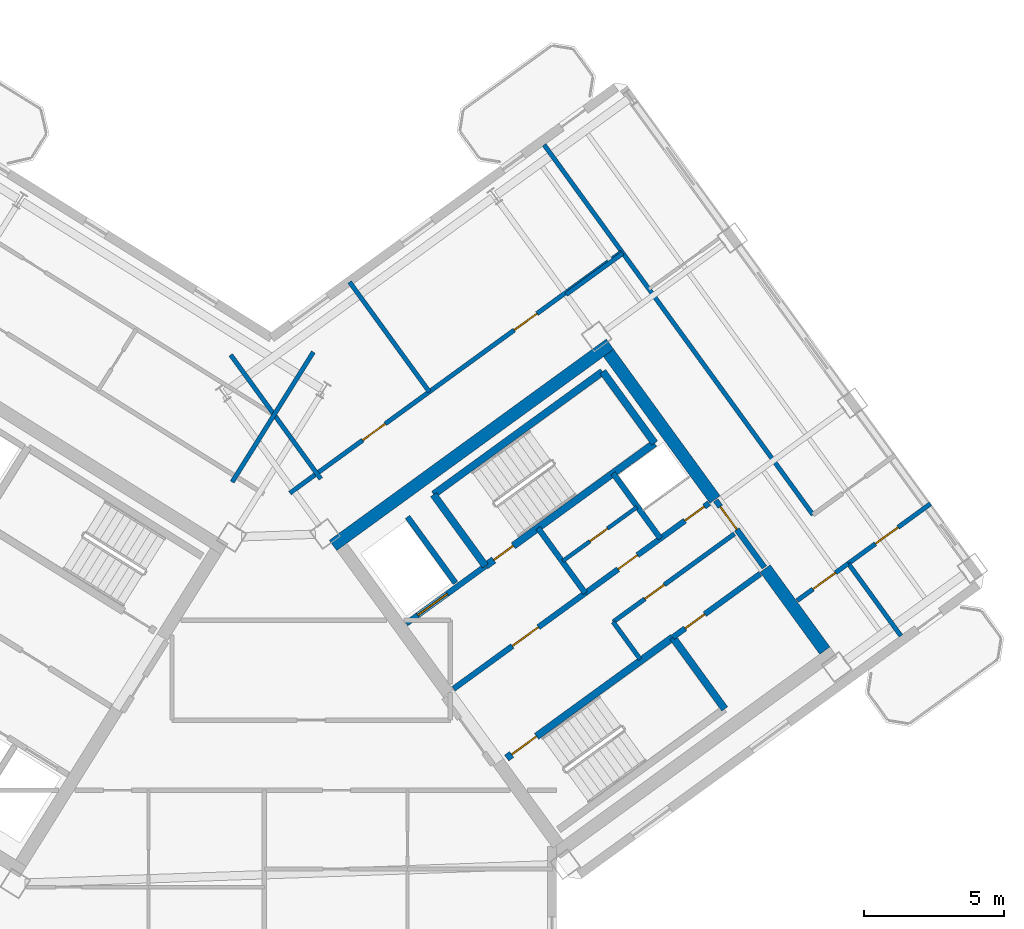
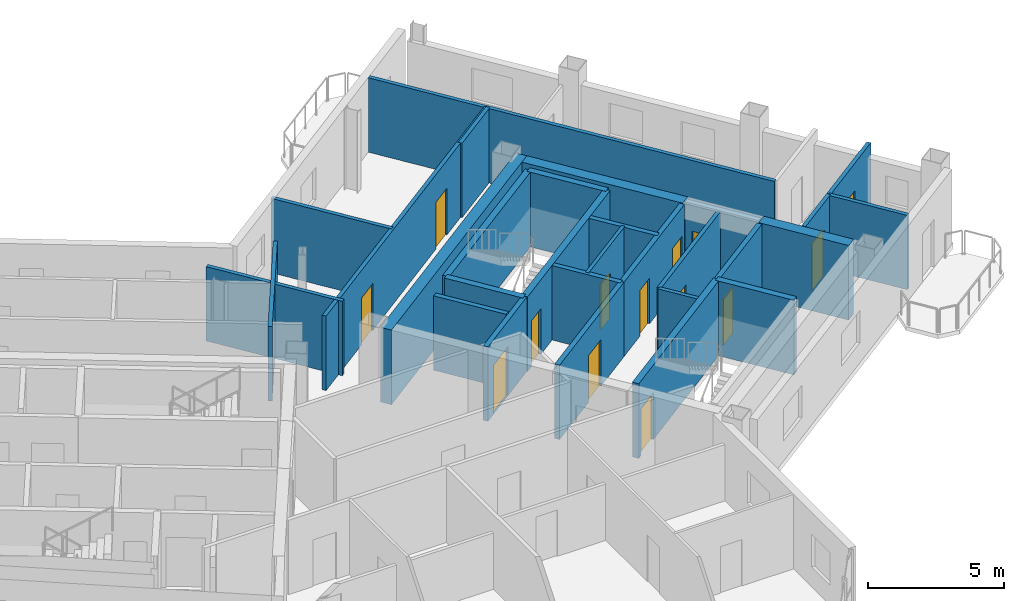
# One storey, part 14 of 20: 29 walls, 14 doors, 14 openings.
"""IFC4 building model written with IfcOpenShell, lengths in metres."""

import ifcopenshell
import ifcopenshell.guid

model = None  # the IFC model being written
_history = None  # IfcOwnerHistory: only IFC2X3 demands one
_inside = {}  # id of a spatial element -> (the spatial element, [elements in it])
_under = {}  # id of a project, library or spatial element -> (it, [spatial elements below it])
_declared = {}  # id of a project -> (the project, [libraries it declares])
_typed = {}  # id of a type object -> (the type object, [elements of that type])
_made_of = {}  # id of a material, layer set ... -> (it, [elements and type objects made of it])


def new_model(schema):
    """Start an empty IFC model of exactly this schema.

    Asked for "IFC4X3", IfcOpenShell would pick the latest addendum, in which some entities
    have other attributes; the version numbers below select the first issue.
    IFC2X3 requires an IfcOwnerHistory on every rooted entity: one is made here for all.
    """
    global model, _history
    if schema == "IFC4X3":
        model = ifcopenshell.file(schema_version=(4, 3, 0, 0))
    else:
        model = ifcopenshell.file(schema=schema)
    _inside.clear()
    _under.clear()
    _declared.clear()
    _typed.clear()
    _made_of.clear()
    _history = None
    if model.schema == "IFC2X3":
        org = make("IfcOrganization", Name="unknown")
        user = make(
            "IfcPersonAndOrganization",
            ThePerson=make("IfcPerson", FamilyName="unknown"),
            TheOrganization=org,
        )
        app = make(
            "IfcApplication",
            ApplicationDeveloper=org,
            Version="unknown",
            ApplicationFullName="unknown",
            ApplicationIdentifier="unknown",
        )
        _history = make(
            "IfcOwnerHistory",
            OwningUser=user,
            OwningApplication=app,
            ChangeAction="ADDED",
            CreationDate=0,
        )
    return model


def make(cls, **values):
    """One entity of the class cls with the attributes given. An attribute that is None is left unset."""
    return model.create_entity(
        cls, **{name: value for name, value in values.items() if value is not None}
    )


def rooted(cls, **values):
    """An entity with a GlobalId (a new one), such as an element, a storey or a relation."""
    return make(cls, GlobalId=ifcopenshell.guid.new(), OwnerHistory=_history, **values)


def si_unit(unit_type, name, prefix=None):
    """IfcSIUnit, for example si_unit("LENGTHUNIT", "METRE", prefix="MILLI")."""
    return make("IfcSIUnit", UnitType=unit_type, Prefix=prefix, Name=name)


def assignment(units):
    """IfcUnitAssignment: the units of a project."""
    return None if units is None else make("IfcUnitAssignment", Units=units)


def point(xyz):
    """IfcCartesianPoint."""
    return None if xyz is None else make("IfcCartesianPoint", Coordinates=xyz)


def direction(xyz):
    """IfcDirection."""
    return None if xyz is None else make("IfcDirection", DirectionRatios=xyz)


def frame(location, z_axis=None, x_axis=None):
    """IfcAxis2Placement3D, a coordinate frame: its origin and axes. An axis left out is left unset."""
    return make(
        "IfcAxis2Placement3D",
        Location=point(location),
        Axis=direction(z_axis),
        RefDirection=direction(x_axis),
    )


def frame_2d(location, x_axis=None):
    """IfcAxis2Placement2D, a coordinate frame in the plane: its origin and x axis."""
    return make(
        "IfcAxis2Placement2D", Location=point(location), RefDirection=direction(x_axis)
    )


def origin():
    """The frame at (0, 0, 0) with its axes left unset."""
    return frame((0.0, 0.0, 0.0))


def place(relative_to, where):
    """IfcLocalPlacement: puts the frame where relative to a parent placement (None: the world)."""
    return make(
        "IfcLocalPlacement", PlacementRelTo=relative_to, RelativePlacement=where
    )


def context(
    kind, dimensions, precision=None, world=None, true_north=None, identifier=None
):
    """IfcGeometricRepresentationContext, for example the 3D "Model" context."""
    return make(
        "IfcGeometricRepresentationContext",
        ContextIdentifier=identifier,
        ContextType=kind,
        CoordinateSpaceDimension=dimensions,
        Precision=precision,
        WorldCoordinateSystem=world,
        TrueNorth=true_north,
    )


def subcontext(parent, identifier, kind, view, scale=None):
    """IfcGeometricRepresentationSubContext, for example "Body" below "Model"."""
    return make(
        "IfcGeometricRepresentationSubContext",
        ContextIdentifier=identifier,
        ContextType=kind,
        ParentContext=parent,
        TargetScale=scale,
        TargetView=view,
    )


def project(units=None, contexts=None):
    """IfcProject with its units and contexts."""
    return rooted(
        "IfcProject",
        Name="project",
        RepresentationContexts=contexts,
        UnitsInContext=assignment(units),
    )


def spatial(cls, under=None, at=None, **own):
    """A site, building, storey or space (cls), placed at a placement, below another one or the project."""
    s = rooted(cls, ObjectPlacement=at, **own)
    if under is not None:
        _under.setdefault(under.id(), (under, []))[1].append(s)
    return s


def profile(cls, at=None, kind="AREA", **sizes):
    """A parametric profile (cls). Its sizes go by their IFC names, for example OverallWidth=200.0."""
    return make(cls, ProfileType=kind, Position=at, **sizes)


def rectangle(**sizes):
    """IfcRectangleProfileDef."""
    return profile("IfcRectangleProfileDef", **sizes)


def extrude(swept, where, along, depth):
    """IfcExtrudedAreaSolid: the profile swept, set in the frame where, extruded along a direction by depth."""
    return make(
        "IfcExtrudedAreaSolid",
        SweptArea=swept,
        Position=where,
        ExtrudedDirection=direction(along),
        Depth=depth,
    )


def shape(context_of_items, identifier, shape_type, items):
    """IfcShapeRepresentation: the items that make up one representation, for example the "Body"."""
    return make(
        "IfcShapeRepresentation",
        ContextOfItems=context_of_items,
        RepresentationIdentifier=identifier,
        RepresentationType=shape_type,
        Items=items,
    )


def source(mapping_origin, context_of_items, identifier, shape_type, items):
    """IfcRepresentationMap: a shape defined once, which mapped items show again and again."""
    return make(
        "IfcRepresentationMap",
        MappingOrigin=mapping_origin,
        MappedRepresentation=shape(context_of_items, identifier, shape_type, items),
    )


def transform(
    local_origin,
    x_axis=None,
    y_axis=None,
    z_axis=None,
    scale=None,
    scale2=None,
    scale3=None,
    uniform=True,
):
    """IfcCartesianTransformationOperator3D, or its non-uniform kind. x_axis, y_axis, z_axis: its Axis1, 2, 3."""
    if uniform:
        return make(
            "IfcCartesianTransformationOperator3D",
            Axis1=direction(x_axis),
            Axis2=direction(y_axis),
            LocalOrigin=point(local_origin),
            Scale=scale,
            Axis3=direction(z_axis),
        )
    return make(
        "IfcCartesianTransformationOperator3DnonUniform",
        Axis1=direction(x_axis),
        Axis2=direction(y_axis),
        LocalOrigin=point(local_origin),
        Scale=scale,
        Axis3=direction(z_axis),
        Scale2=scale2,
        Scale3=scale3,
    )


def mapped(mapping_source, mapping_target):
    """IfcMappedItem: shows the shape of a source again, moved by a transform."""
    return make(
        "IfcMappedItem", MappingSource=mapping_source, MappingTarget=mapping_target
    )


def material(Name=None, Category=None):
    """IfcMaterial."""
    return make("IfcMaterial", Name=Name, Category=Category)


def layer(
    of_material, thickness, ventilated=None, Name=None, Category=None, Priority=None
):
    """IfcMaterialLayer: one layer of a wall or slab, of a material (None: an air gap)."""
    return make(
        "IfcMaterialLayer",
        Material=of_material,
        LayerThickness=thickness,
        IsVentilated=ventilated,
        Name=Name,
        Category=Category,
        Priority=Priority,
    )


def layer_set(layers, Name=None):
    """IfcMaterialLayerSet."""
    return make("IfcMaterialLayerSet", MaterialLayers=layers, LayerSetName=Name)


def made_of(thing, what):
    """Note that an element or type object is made of a material, layer set ...; save() writes the relation."""
    if what is not None:
        _made_of.setdefault(what.id(), (what, []))[1].append(thing)
    return thing


def type_object(cls, material=None, **own):
    """A type object (cls), such as IfcWallType, which elements share."""
    return made_of(rooted(cls, **own), material)


def element(
    cls,
    number,
    at=None,
    inside=None,
    cuts=None,
    type_object=None,
    material=None,
    context=None,
    identifier="Body",
    shape_type=None,
    held_by="IfcProductDefinitionShape",
    body=None,
    shapes=None,
    **own,
):
    """One element of the class cls, such as IfcWall. Its Tag is "e" and its number.

    at: its placement. inside: the storey or other place that contains it. cuts: it is an
    opening in that element (IfcRelVoidsElement). A single representation is given by context,
    identifier, shape_type and body (its items); several are given by shapes. held_by: the class
    of the entity that holds the representations. save() writes the other relations.
    """
    e = rooted(cls, Tag="e%d" % number, ObjectPlacement=at, **own)
    if body is not None:
        shapes = [shape(context, identifier, shape_type, body)]
    if shapes is not None:
        e.Representation = make(held_by, Representations=shapes)
    if inside is not None:
        _inside.setdefault(inside.id(), (inside, []))[1].append(e)
    if cuts is not None:
        rooted(
            "IfcRelVoidsElement", RelatingBuildingElement=cuts, RelatedOpeningElement=e
        )
    if type_object is not None:
        _typed.setdefault(type_object.id(), (type_object, []))[1].append(e)
    return made_of(e, material)


def fill(opening, filler):
    """IfcRelFillsElement: the door or window that sits in an opening."""
    return rooted(
        "IfcRelFillsElement",
        RelatingOpeningElement=opening,
        RelatedBuildingElement=filler,
    )


def aggregate(whole, parts):
    """IfcRelAggregates: a whole, such as a stair, and the parts it consists of."""
    return rooted("IfcRelAggregates", RelatingObject=whole, RelatedObjects=parts)


def save(model, path):
    """Write the relations noted so far, then the file.

    IfcRelAggregates (storeys below a building ...), IfcRelContainedInSpatialStructure (elements
    in a storey), IfcRelDefinesByType, IfcRelAssociatesMaterial and IfcRelDeclares: one each for
    every whole, place, type object, material and project.
    """
    for whole, parts in _under.values():
        aggregate(whole, parts)
    for where, things in _inside.values():
        rooted(
            "IfcRelContainedInSpatialStructure",
            RelatedElements=things,
            RelatingStructure=where,
        )
    for kind, things in _typed.values():
        rooted("IfcRelDefinesByType", RelatedObjects=things, RelatingType=kind)
    for what, things in _made_of.values():
        rooted("IfcRelAssociatesMaterial", RelatedObjects=things, RelatingMaterial=what)
    for by, libraries in _declared.values():
        rooted("IfcRelDeclares", RelatingContext=by, RelatedDefinitions=libraries)
    model.write(path)


model = new_model("IFC4")

# Units and contexts
model_context = context("Model", 3, precision=1e-05, world=origin(), true_north=direction((0.0, 1.0)))
body_context = subcontext(model_context, "Body", "Model", "MODEL_VIEW")
ifc_project = project(units=[si_unit("LENGTHUNIT", "METRE"), si_unit("AREAUNIT", "SQUARE_METRE"), si_unit("VOLUMEUNIT", "CUBIC_METRE"), si_unit("PLANEANGLEUNIT", "RADIAN"), si_unit("MASSUNIT", "GRAM", prefix="KILO")], contexts=[model_context])

# Site, building, storey
site_placement = place(None, origin())
site = spatial("IfcSite", under=ifc_project, at=site_placement, CompositionType="ELEMENT")
building_placement = place(site_placement, origin())
building = spatial("IfcBuilding", under=site, at=building_placement, Name="Tlacorven Tower", CompositionType="ELEMENT")
storey_placement = place(building_placement, frame((0.0, 0.0, 225.60009765625)))
storey = spatial("IfcBuildingStorey", under=building, at=storey_placement, Name="L57", CompositionType="ELEMENT", Elevation=225.60009765625)

# Walls
ifc_material_1 = material(Name="Concrete C50/60", Category="concrete")
ifc_layer_1 = layer(ifc_material_1, 0.449951171875)
ifc_layer_set_1 = layer_set([ifc_layer_1], Name="Concrete C50/60")
wall_type_1 = type_object("IfcWallType", Name="WL-COR-450", PredefinedType="SHEAR", material=ifc_layer_set_1)
wall_1_placement = place(storey_placement, frame((44.405517578125, 24.171630859375, 0.0), z_axis=(0.0, 0.0, 1.0), x_axis=(0.809012867805, 0.587790931986, 0.0)))
element("IfcWall", 1, at=wall_1_placement, inside=storey, type_object=wall_type_1, Name="L57 E core shear wall S2", PredefinedType="SHEAR", context=body_context, shape_type="SweptSolid", body=[
    extrude(rectangle(XDim=12.239990234375, YDim=0.449951171875, at=frame_2d((6.1201171875, 0.0))), origin(), (0.0, 0.0, 1.0), 3.349853515625),
])
wall_2_placement = place(storey_placement, frame((61.987548828125, 20.413330078125, 0.0), z_axis=(0.0, 0.0, 1.0), x_axis=(-0.587819244441, 0.808992296542, 0.0)))
element("IfcWall", 2, at=wall_2_placement, inside=storey, type_object=wall_type_1, Name="L57 E core end wall E2.1", PredefinedType="SHEAR", context=body_context, shape_type="SweptSolid", body=[
    extrude(rectangle(XDim=3.625, YDim=0.449951171875, at=frame_2d((1.8125, 0.0))), origin(), (0.0, 0.0, 1.0), 3.349853515625),
])
wall_3_placement = place(storey_placement, frame((58.06396484375, 25.8134765625, 0.0), z_axis=(0.0, 0.0, 1.0), x_axis=(-0.587774812919, 0.809024578921, 0.0)))
element("IfcWall", 3, at=wall_3_placement, inside=storey, type_object=wall_type_1, Name="L57 E core end wall E2.2", PredefinedType="SHEAR", context=body_context, shape_type="SweptSolid", body=[
    extrude(rectangle(XDim=6.47509765625, YDim=0.449951171875, at=frame_2d((3.237548828125, 0.0))), origin(), (0.0, 0.0, 1.0), 3.349853515625),
])

# Wall, opening, door
ifc_material_2 = material(Name="Gypsum plasterboard acoustic partition", Category="gypsum")
ifc_layer_2 = layer(ifc_material_2, 0.159912109375)
ifc_layer_set_2 = layer_set([ifc_layer_2], Name="Gypsum plasterboard acoustic partition")
wall_type_2 = type_object("IfcWallType", Name="WL-DEM-160", PredefinedType="PARTITIONING", material=ifc_layer_set_2)
wall_4_placement = place(storey_placement, frame((54.421142578125, 21.436279296875, 0.0), z_axis=(0.0, 0.0, 1.0), x_axis=(0.809013710463, 0.587789772183, 0.0)))
wall_4 = element("IfcWall", 4, at=wall_4_placement, inside=storey, type_object=wall_type_2, Name="L57 partition 28", PredefinedType="PARTITIONING", context=body_context, shape_type="SweptSolid", body=[
    extrude(rectangle(XDim=5.360107421875, YDim=0.159912109375, at=frame_2d((2.68017578125, 0.0))), origin(), (0.0, 0.0, 1.0), 3.33984375),
])
opening_1_placement = place(wall_4_placement, frame((1.39990234375, 0.0, 0.0)))
opening_1 = element("IfcOpeningElement", 5, at=opening_1_placement, cuts=wall_4, Name="Opening D19", PredefinedType="OPENING", context=body_context, shape_type="SweptSolid", body=[
    extrude(rectangle(XDim=0.860107421875, YDim=2.050048828125, at=frame_2d((0.43017578125, 1.02490234375))), frame((0.0, 0.08984375, 0.0), z_axis=(0.0, -1.0, 0.0), x_axis=(1.0, 0.0, 0.0)), (0.0, 0.0, 1.0), 0.179931640625),
])
ifc_material_3 = material(Name="Fire-rated steel door assembly", Category="steel")
door_type_1 = type_object("IfcDoorType", Name="DR-RSR-FD60-0860", OperationType="NOTDEFINED", PredefinedType="DOOR", material=ifc_material_3)
shared_shape_1 = source(origin(), body_context, "Body", "SweptSolid", [
    extrude(rectangle(XDim=0.860107421875, YDim=2.050048828125, at=frame_2d((0.43017578125, 1.02490234375))), frame((0.0, 0.02490234375, 0.0), z_axis=(0.0, -1.0, 0.0), x_axis=(1.0, 0.0, 0.0)), (0.0, 0.0, 1.0), 0.050048828125),
])
door_1_placement = place(opening_1_placement, origin())
door_1 = element("IfcDoor", 6, at=door_1_placement, inside=storey, type_object=door_type_1, Name="L57 Freed Core Store Door", OperationType="SINGLE_SWING_LEFT", OverallHeight=2.050048828125, OverallWidth=0.860107421875, PredefinedType="DOOR", context=body_context, shape_type="MappedRepresentation", body=[
    mapped(shared_shape_1, transform((0.0, 0.0, 0.0), scale=1.0)),
])
fill(opening_1, door_1)

# Walls
wall_5_placement = place(storey_placement, frame((55.390869140625, 20.1015625, 0.0), z_axis=(0.0, 0.0, 1.0), x_axis=(-0.58778447739, 0.809017557374, 0.0)))
element("IfcWall", 7, at=wall_5_placement, inside=storey, type_object=wall_type_2, Name="L57 partition 29", PredefinedType="PARTITIONING", context=body_context, shape_type="SweptSolid", body=[
    extrude(rectangle(XDim=1.64990234375, YDim=0.159912109375, at=frame_2d((0.824951171875, 0.0))), origin(), (0.0, 0.0, 1.0), 3.33984375),
])
wall_6_placement = place(storey_placement, frame((43.70361328125, 31.086181640625, 0.0), z_axis=(0.0, 0.0, 1.0), x_axis=(-0.529906828443, -0.848055866774, 0.0)))
element("IfcWall", 8, at=wall_6_placement, inside=storey, type_object=wall_type_2, Name="L57 WC West Throat Wall", PredefinedType="PARTITIONING", context=body_context, shape_type="SweptSolid", body=[
    extrude(rectangle(XDim=5.479736328125, YDim=0.159912109375, at=frame_2d((2.73974609375, 0.0))), origin(), (0.0, 0.0, 1.0), 3.33984375),
])

# Wall, opening, door
wall_7_placement = place(storey_placement, frame((61.0009765625, 22.19970703125, 0.0), z_axis=(0.0, 0.0, 1.0), x_axis=(0.809053894229, 0.587734460648, 0.0)))
wall_7 = element("IfcWall", 9, at=wall_7_placement, inside=storey, type_object=wall_type_2, Name="L57 partition 78", PredefinedType="PARTITIONING", context=body_context, shape_type="SweptSolid", body=[
    extrude(rectangle(XDim=2.258056640625, YDim=0.159912109375, at=frame_2d((1.12890625, 0.0))), origin(), (0.0, 0.0, 1.0), 3.33984375),
])
opening_2_placement = place(wall_7_placement, frame((0.697998046875, 0.0, 0.0)))
opening_2 = element("IfcOpeningElement", 10, at=opening_2_placement, cuts=wall_7, Name="Opening D11", PredefinedType="OPENING", context=body_context, shape_type="SweptSolid", body=[
    extrude(rectangle(XDim=1.0, YDim=2.10009765625, at=frame_2d((0.5, 1.050048828125))), frame((0.0, 0.08984375, 0.0), z_axis=(0.0, -1.0, 0.0), x_axis=(1.0, 0.0, 0.0)), (0.0, 0.0, 1.0), 0.179931640625),
])
door_type_2 = type_object("IfcDoorType", Name="DR-FLT-FD60-1000", OperationType="NOTDEFINED", PredefinedType="DOOR", material=ifc_material_3)
shared_shape_2 = source(origin(), body_context, "Body", "SweptSolid", [
    extrude(rectangle(XDim=1.0, YDim=2.10009765625, at=frame_2d((0.5, 1.050048828125))), frame((0.0, 0.02490234375, 0.0), z_axis=(0.0, -1.0, 0.0), x_axis=(1.0, 0.0, 0.0)), (0.0, 0.0, 1.0), 0.050048828125),
])
door_2_placement = place(opening_2_placement, frame((1.0, 0.0, 0.0), z_axis=(0.0, 0.0, 1.0), x_axis=(-1.0, 0.0, 0.0)))
door_2 = element("IfcDoor", 11, at=door_2_placement, inside=storey, type_object=door_type_2, Name="L57 door 053", OperationType="SINGLE_SWING_LEFT", OverallHeight=2.10009765625, OverallWidth=1.0, PredefinedType="DOOR", context=body_context, shape_type="MappedRepresentation", body=[
    mapped(shared_shape_2, transform((0.0, 0.0, 0.0), scale=1.0)),
])
fill(opening_2, door_2)

# Walls
wall_8_placement = place(storey_placement, frame((52.73876953125, 33.143310546875, 0.0), z_axis=(0.0, 0.0, 1.0), x_axis=(0.809000999347, 0.58780726693, 0.0)))
element("IfcWall", 12, at=wall_8_placement, inside=storey, type_object=wall_type_2, Name="L57 partition 79", PredefinedType="PARTITIONING", context=body_context, shape_type="SweptSolid", body=[
    extrude(rectangle(XDim=2.510009765625, YDim=0.159912109375, at=frame_2d((1.2548828125, 0.0))), origin(), (0.0, 0.0, 1.0), 3.33984375),
])
wall_9_placement = place(storey_placement, frame((64.708740234375, 20.93798828125, 0.0), z_axis=(0.0, 0.0, 1.0), x_axis=(-0.587772420479, 0.809026317077, 0.0)))
element("IfcWall", 13, at=wall_9_placement, inside=storey, type_object=wall_type_2, Name="L57 partition 80", PredefinedType="PARTITIONING", context=body_context, shape_type="SweptSolid", body=[
    extrude(rectangle(XDim=3.199951171875, YDim=0.159912109375, at=frame_2d((1.60009765625, 0.0))), origin(), (0.0, 0.0, 1.0), 3.33984375),
])
wall_10_placement = place(storey_placement, frame((61.564208984375, 25.266357421875, 0.0), z_axis=(0.0, 0.0, 1.0), x_axis=(-0.587784527444, 0.809017521007, 0.0)))
element("IfcWall", 14, at=wall_10_placement, inside=storey, type_object=wall_type_2, Name="L57 partition 81", PredefinedType="PARTITIONING", context=body_context, shape_type="SweptSolid", body=[
    extrude(rectangle(XDim=16.35009765625, YDim=0.159912109375, at=frame_2d((8.175048828125, 0.0))), origin(), (0.0, 0.0, 1.0), 3.33984375),
])

# Wall, opening, door
wall_11_placement = place(storey_placement, frame((62.827880859375, 23.52685546875, 0.0), z_axis=(0.0, 0.0, 1.0), x_axis=(0.809003564202, 0.587803736896, 0.0)))
wall_11 = element("IfcWall", 15, at=wall_11_placement, inside=storey, type_object=wall_type_2, Name="L57 partition 83", PredefinedType="PARTITIONING", context=body_context, shape_type="SweptSolid", body=[
    extrude(rectangle(XDim=3.630126953125, YDim=0.159912109375, at=frame_2d((1.81494140625, 0.0))), origin(), (0.0, 0.0, 1.0), 3.33984375),
])
opening_3_placement = place(wall_11_placement, frame((1.199951171875, 0.0, 0.0)))
opening_3 = element("IfcOpeningElement", 16, at=opening_3_placement, cuts=wall_11, Name="Opening D11", PredefinedType="OPENING", context=body_context, shape_type="SweptSolid", body=[
    extrude(rectangle(XDim=1.0, YDim=2.10009765625, at=frame_2d((0.5, 1.050048828125))), frame((0.0, 0.08984375, 0.0), z_axis=(0.0, -1.0, 0.0), x_axis=(1.0, 0.0, 0.0)), (0.0, 0.0, 1.0), 0.179931640625),
])
door_3_placement = place(opening_3_placement, frame((1.0, 0.0, 0.0), z_axis=(0.0, 0.0, 1.0), x_axis=(-1.0, 0.0, 0.0)))
door_3 = element("IfcDoor", 17, at=door_3_placement, inside=storey, type_object=door_type_2, Name="L57 door 057", OperationType="SINGLE_SWING_LEFT", OverallHeight=2.10009765625, OverallWidth=1.0, PredefinedType="DOOR", context=body_context, shape_type="MappedRepresentation", body=[
    mapped(shared_shape_2, transform((0.0, 0.0, 0.0), scale=1.0)),
])
fill(opening_3, door_3)

# Wall, openings, doors
wall_12_placement = place(storey_placement, frame((42.86572265625, 26.04443359375, 0.0), z_axis=(0.0, 0.0, 1.0), x_axis=(0.809020254154, 0.587780765566, 0.0)))
wall_12 = element("IfcWall", 18, at=wall_12_placement, inside=storey, type_object=wall_type_2, Name="L57 partition 86", PredefinedType="PARTITIONING", context=body_context, shape_type="SweptSolid", body=[
    extrude(rectangle(XDim=14.670166015625, YDim=0.159912109375, at=frame_2d((7.3349609375, 0.0))), origin(), (0.0, 0.0, 1.0), 3.33984375),
])
opening_4_placement = place(wall_12_placement, frame((3.215087890625, 0.0, 0.0)))
opening_4 = element("IfcOpeningElement", 19, at=opening_4_placement, cuts=wall_12, Name="Opening D11", PredefinedType="OPENING", context=body_context, shape_type="SweptSolid", body=[
    extrude(rectangle(XDim=1.0, YDim=2.10009765625, at=frame_2d((0.5, 1.050048828125))), frame((0.0, 0.08984375, 0.0), z_axis=(0.0, -1.0, 0.0), x_axis=(1.0, 0.0, 0.0)), (0.0, 0.0, 1.0), 0.179931640625),
])
opening_5_placement = place(wall_12_placement, frame((9.9150390625, 0.0, 0.0)))
opening_5 = element("IfcOpeningElement", 20, at=opening_5_placement, cuts=wall_12, Name="Opening D11", PredefinedType="OPENING", context=body_context, shape_type="SweptSolid", body=[
    extrude(rectangle(XDim=1.0, YDim=2.10009765625, at=frame_2d((0.5, 1.050048828125))), frame((0.0, 0.08984375, 0.0), z_axis=(0.0, -1.0, 0.0), x_axis=(1.0, 0.0, 0.0)), (0.0, 0.0, 1.0), 0.179931640625),
])
door_4_placement = place(opening_4_placement, origin())
door_4 = element("IfcDoor", 21, at=door_4_placement, inside=storey, type_object=door_type_2, Name="L57 door 058", OperationType="SINGLE_SWING_RIGHT", OverallHeight=2.10009765625, OverallWidth=1.0, PredefinedType="DOOR", context=body_context, shape_type="MappedRepresentation", body=[
    mapped(shared_shape_2, transform((0.0, 0.0, 0.0), scale=1.0)),
])
fill(opening_4, door_4)
door_5_placement = place(opening_5_placement, origin())
door_5 = element("IfcDoor", 22, at=door_5_placement, inside=storey, type_object=door_type_2, Name="L57 door 059", OperationType="SINGLE_SWING_LEFT", OverallHeight=2.10009765625, OverallWidth=1.0, PredefinedType="DOOR", context=body_context, shape_type="MappedRepresentation", body=[
    mapped(shared_shape_2, transform((0.0, 0.0, 0.0), scale=1.0)),
])
fill(opening_5, door_5)

# Walls
wall_13_placement = place(storey_placement, frame((43.969482421875, 26.549560546875, 0.0), z_axis=(0.0, 0.0, 1.0), x_axis=(-0.587776919386, 0.80902304852, 0.0)))
element("IfcWall", 23, at=wall_13_placement, inside=storey, type_object=wall_type_2, Name="L57 EC West Throat Wall", PredefinedType="PARTITIONING", context=body_context, shape_type="SweptSolid", body=[
    extrude(rectangle(XDim=5.47998046875, YDim=0.159912109375, at=frame_2d((2.739990234375, 0.0))), origin(), (0.0, 0.0, 1.0), 3.33984375),
])
wall_14_placement = place(storey_placement, frame((47.849365234375, 29.6650390625, 0.0), z_axis=(0.0, 0.0, 1.0), x_axis=(-0.587785532001, 0.809016791155, 0.0)))
element("IfcWall", 24, at=wall_14_placement, inside=storey, type_object=wall_type_2, Name="L57 EC Demising Wall 1", PredefinedType="PARTITIONING", context=body_context, shape_type="SweptSolid", body=[
    extrude(rectangle(XDim=4.85009765625, YDim=0.159912109375, at=frame_2d((2.425048828125, 0.0))), origin(), (0.0, 0.0, 1.0), 3.33984375),
])

# Wall, opening, door
ifc_material_4 = material(Name="Moisture-resistant gypsum plumbing wall", Category="gypsum")
ifc_layer_3 = layer(ifc_material_4, 0.139892578125)
ifc_layer_set_3 = layer_set([ifc_layer_3], Name="Moisture-resistant gypsum plumbing wall")
wall_type_3 = type_object("IfcWallType", Name="WL-PLM-140", PredefinedType="PLUMBINGWALL", material=ifc_layer_set_3)
wall_15_placement = place(storey_placement, frame((52.617919921875, 23.612060546875, 0.0), z_axis=(0.0, 0.0, 1.0), x_axis=(0.809009587469, 0.587795446889, 0.0)))
wall_15 = element("IfcWall", 25, at=wall_15_placement, inside=storey, type_object=wall_type_3, Name="L57 partition 34", PredefinedType="PLUMBINGWALL", context=body_context, shape_type="SweptSolid", body=[
    extrude(rectangle(XDim=3.280029296875, YDim=0.139892578125, at=frame_2d((1.64013671875, 0.0))), origin(), (0.0, 0.0, 1.0), 3.33984375),
])
opening_6_placement = place(wall_15_placement, frame((1.199951171875, 0.0, 0.0)))
opening_6 = element("IfcOpeningElement", 26, at=opening_6_placement, cuts=wall_15, Name="Opening D22", PredefinedType="OPENING", context=body_context, shape_type="SweptSolid", body=[
    extrude(rectangle(XDim=0.780029296875, YDim=2.050048828125, at=frame_2d((0.39013671875, 1.02490234375))), frame((0.0, 0.080078125, 0.0), z_axis=(0.0, -1.0, 0.0), x_axis=(1.0, 0.0, 0.0)), (0.0, 0.0, 1.0), 0.159912109375),
])
ifc_material_5 = material(Name="Powder-coated aluminium and timber door", Category="wood")
door_type_3 = type_object("IfcDoorType", Name="DR-INT-WET-0780", OperationType="NOTDEFINED", PredefinedType="DOOR", material=ifc_material_5)
shared_shape_3 = source(origin(), body_context, "Body", "SweptSolid", [
    extrude(rectangle(XDim=0.780029296875, YDim=2.050048828125, at=frame_2d((0.39013671875, 1.02490234375))), frame((0.0, 0.02490234375, 0.0), z_axis=(0.0, -1.0, 0.0), x_axis=(1.0, 0.0, 0.0)), (0.0, 0.0, 1.0), 0.050048828125),
])
door_6_placement = place(opening_6_placement, origin())
door_6 = element("IfcDoor", 27, at=door_6_placement, inside=storey, type_object=door_type_3, Name="L57 door 018", OperationType="SINGLE_SWING_LEFT", OverallHeight=2.050048828125, OverallWidth=0.780029296875, PredefinedType="DOOR", context=body_context, shape_type="MappedRepresentation", body=[
    mapped(shared_shape_3, transform((0.0, 0.0, 0.0), scale=1.0)),
])
fill(opening_6, door_6)

ifc_material_6 = material(Name="Concrete C40/50", Category="concrete")
ifc_layer_4 = layer(ifc_material_6, 0.199951171875)
ifc_layer_set_4 = layer_set([ifc_layer_4], Name="Concrete C40/50")
wall_type_4 = type_object("IfcWallType", Name="WL-SHF-200", PredefinedType="STANDARD", material=ifc_layer_set_4)
wall_16_placement = place(storey_placement, frame((47.02490234375, 21.3779296875, 0.0), z_axis=(0.0, 0.0, 1.0), x_axis=(0.809052869724, 0.587735870941, 0.0)))
wall_16 = element("IfcWall", 28, at=wall_16_placement, inside=storey, type_object=wall_type_4, Name="L57 Core E Firefighting Lift Shaft Front Wall", PredefinedType="STANDARD", context=body_context, shape_type="SweptSolid", body=[
    extrude(rectangle(XDim=3.498046875, YDim=0.199951171875, at=frame_2d((1.7490234375, 0.0))), origin(), (0.0, 0.0, 1.0), 3.33984375),
])
opening_7_placement = place(wall_16_placement, frame((0.508056640625, 0.0, 0.0)))
opening_7 = element("IfcOpeningElement", 29, at=opening_7_placement, cuts=wall_16, Name="Opening LD03", PredefinedType="OPENING", context=body_context, shape_type="SweptSolid", body=[
    extrude(rectangle(XDim=1.300048828125, YDim=2.199951171875, at=frame_2d((0.64990234375, 1.10009765625))), frame((0.0, 0.10986328125, 0.0), z_axis=(0.0, -1.0, 0.0), x_axis=(1.0, 0.0, 0.0)), (0.0, 0.0, 1.0), 0.219970703125),
])
door_type_4 = type_object("IfcDoorType", Name="DR-LFT-SLID-1300", OperationType="DOUBLE_DOOR_SLIDING", PredefinedType="DOOR", material=ifc_material_3)
shared_shape_4 = source(origin(), body_context, "Body", "SweptSolid", [
    extrude(rectangle(XDim=1.300048828125, YDim=2.199951171875, at=frame_2d((0.64990234375, 1.10009765625))), frame((0.0, 0.02490234375, 0.0), z_axis=(0.0, -1.0, 0.0), x_axis=(1.0, 0.0, 0.0)), (0.0, 0.0, 1.0), 0.050048828125),
])
door_7_placement = place(opening_7_placement, origin())
door_7 = element("IfcDoor", 30, at=door_7_placement, inside=storey, type_object=door_type_4, Name="L57 Lift FFL-E1 Sliding Landing Door", OperationType="DOUBLE_DOOR_SLIDING", OverallHeight=2.199951171875, OverallWidth=1.300048828125, PredefinedType="DOOR", context=body_context, shape_type="MappedRepresentation", body=[
    mapped(shared_shape_4, transform((0.0, 0.0, 0.0), scale=1.0)),
])
fill(opening_7, door_7)

wall_17_placement = place(storey_placement, frame((48.7177734375, 19.0478515625, 0.0), z_axis=(0.0, 0.0, 1.0), x_axis=(0.809017261719, 0.587784884325, 0.0)))
wall_17 = element("IfcWall", 31, at=wall_17_placement, inside=storey, type_object=wall_type_4, Name="L57 Core E Smoke Lobby Wall", PredefinedType="STANDARD", context=body_context, shape_type="SweptSolid", body=[
    extrude(rectangle(XDim=5.81787109375, YDim=0.199951171875, at=frame_2d((2.908935546875, 0.0))), origin(), (0.0, 0.0, 1.0), 3.33984375),
])
opening_8_placement = place(wall_17_placement, frame((2.597900390625, 0.0, 0.0)))
opening_8 = element("IfcOpeningElement", 32, at=opening_8_placement, cuts=wall_17, Name="Opening D09", PredefinedType="OPENING", context=body_context, shape_type="SweptSolid", body=[
    extrude(rectangle(XDim=1.14990234375, YDim=2.10009765625, at=frame_2d((0.574951171875, 1.050048828125))), frame((0.0, 0.10986328125, 0.0), z_axis=(0.0, -1.0, 0.0), x_axis=(1.0, 0.0, 0.0)), (0.0, 0.0, 1.0), 0.219970703125),
])
door_type_5 = type_object("IfcDoorType", Name="DR-FFL-FD60-1150", OperationType="NOTDEFINED", PredefinedType="DOOR", material=ifc_material_3)
shared_shape_5 = source(origin(), body_context, "Body", "SweptSolid", [
    extrude(rectangle(XDim=1.14990234375, YDim=2.10009765625, at=frame_2d((0.574951171875, 1.050048828125))), frame((0.0, 0.02490234375, 0.0), z_axis=(0.0, -1.0, 0.0), x_axis=(1.0, 0.0, 0.0)), (0.0, 0.0, 1.0), 0.050048828125),
])
door_8_placement = place(opening_8_placement, origin())
door_8 = element("IfcDoor", 33, at=door_8_placement, inside=storey, type_object=door_type_5, Name="L57 Firefighting Lobby E Fire Door", OperationType="SINGLE_SWING_LEFT", OverallHeight=2.10009765625, OverallWidth=1.14990234375, PredefinedType="DOOR", context=body_context, shape_type="MappedRepresentation", body=[
    mapped(shared_shape_5, transform((0.0, 0.0, 0.0), scale=1.0)),
])
fill(opening_8, door_8)

wall_18_placement = place(storey_placement, frame((56.552978515625, 20.884033203125, 0.0), z_axis=(0.0, 0.0, 1.0), x_axis=(0.809041669066, 0.587751288995, 0.0)))
wall_18 = element("IfcWall", 34, at=wall_18_placement, inside=storey, type_object=wall_type_4, Name="L57 Core E South Lift Shaft Wall", PredefinedType="STANDARD", context=body_context, shape_type="SweptSolid", body=[
    extrude(rectangle(XDim=3.867919921875, YDim=0.199951171875, at=frame_2d((1.93408203125, 0.0))), origin(), (0.0, 0.0, 1.0), 3.33984375),
])
opening_9_placement = place(wall_18_placement, frame((0.550048828125, 0.0, 0.0)))
opening_9 = element("IfcOpeningElement", 35, at=opening_9_placement, cuts=wall_18, Name="Opening D19", PredefinedType="OPENING", context=body_context, shape_type="SweptSolid", body=[
    extrude(rectangle(XDim=0.860107421875, YDim=2.050048828125, at=frame_2d((0.43017578125, 1.02490234375))), frame((0.0, 0.10986328125, 0.0), z_axis=(0.0, -1.0, 0.0), x_axis=(1.0, 0.0, 0.0)), (0.0, 0.0, 1.0), 0.219970703125),
])
door_9_placement = place(opening_9_placement, origin())
door_9 = element("IfcDoor", 36, at=door_9_placement, inside=storey, type_object=door_type_1, Name="L57 East Telecoms Riser Access Door", OperationType="SINGLE_SWING_RIGHT", OverallHeight=2.050048828125, OverallWidth=0.860107421875, PredefinedType="DOOR", context=body_context, shape_type="MappedRepresentation", body=[
    mapped(shared_shape_1, transform((0.0, 0.0, 0.0), scale=1.0)),
])
fill(opening_9, door_9)

# Walls
wall_19_placement = place(storey_placement, frame((48.78564453125, 22.830078125, 0.0), z_axis=(0.0, 0.0, 1.0), x_axis=(-0.587783856777, 0.809018008275, 0.0)))
element("IfcWall", 37, at=wall_19_placement, inside=storey, type_object=wall_type_4, Name="L57 partition 30", PredefinedType="STANDARD", context=body_context, shape_type="SweptSolid", body=[
    extrude(rectangle(XDim=2.919921875, YDim=0.199951171875, at=frame_2d((1.4599609375, 0.0))), origin(), (0.0, 0.0, 1.0), 3.33984375),
])
wall_20_placement = place(storey_placement, frame((53.424560546875, 22.467529296875, 0.0), z_axis=(0.0, 0.0, 1.0), x_axis=(-0.5877230039, 0.809062216821, 0.0)))
element("IfcWall", 38, at=wall_20_placement, inside=storey, type_object=wall_type_4, Name="L57 partition 31", PredefinedType="STANDARD", context=body_context, shape_type="SweptSolid", body=[
    extrude(rectangle(XDim=2.8798828125, YDim=0.199951171875, at=frame_2d((1.43994140625, 0.0))), origin(), (0.0, 0.0, 1.0), 3.33984375),
])
wall_21_placement = place(storey_placement, frame((56.110595703125, 24.4189453125, 0.0), z_axis=(0.0, 0.0, 1.0), x_axis=(-0.58777848983, 0.809021907548, 0.0)))
element("IfcWall", 39, at=wall_21_placement, inside=storey, type_object=wall_type_4, Name="L57 partition 32", PredefinedType="STANDARD", context=body_context, shape_type="SweptSolid", body=[
    extrude(rectangle(XDim=2.880126953125, YDim=0.199951171875, at=frame_2d((1.43994140625, 0.0))), origin(), (0.0, 0.0, 1.0), 3.33984375),
])

# Wall, openings, doors
wall_22_placement = place(storey_placement, frame((53.424560546875, 22.467529296875, 0.0), z_axis=(0.0, 0.0, 1.0), x_axis=(0.809015945709, 0.587786695655, 0.0)))
wall_22 = element("IfcWall", 40, at=wall_22_placement, inside=storey, type_object=wall_type_4, Name="L57 Core E North Service Wall", PredefinedType="STANDARD", context=body_context, shape_type="SweptSolid", body=[
    extrude(rectangle(XDim=5.46826171875, YDim=0.199951171875, at=frame_2d((2.734130859375, 0.0))), origin(), (0.0, 0.0, 1.0), 3.33984375),
])
opening_10_placement = place(wall_22_placement, frame((4.39990234375, 0.0, 0.0)))
opening_10 = element("IfcOpeningElement", 41, at=opening_10_placement, cuts=wall_22, Name="Opening D19", PredefinedType="OPENING", context=body_context, shape_type="SweptSolid", body=[
    extrude(rectangle(XDim=0.860107421875, YDim=2.050048828125, at=frame_2d((0.43017578125, 1.02490234375))), frame((0.0, 0.10986328125, 0.0), z_axis=(0.0, -1.0, 0.0), x_axis=(1.0, 0.0, 0.0)), (0.0, 0.0, 1.0), 0.219970703125),
])
opening_11_placement = place(wall_22_placement, frame((1.449951171875, 0.0, 0.0)))
opening_11 = element("IfcOpeningElement", 42, at=opening_11_placement, cuts=wall_22, Name="Opening D19", PredefinedType="OPENING", context=body_context, shape_type="SweptSolid", body=[
    extrude(rectangle(XDim=0.860107421875, YDim=2.050048828125, at=frame_2d((0.43017578125, 1.02490234375))), frame((0.0, 0.10986328125, 0.0), z_axis=(0.0, -1.0, 0.0), x_axis=(1.0, 0.0, 0.0)), (0.0, 0.0, 1.0), 0.219970703125),
])
door_10_placement = place(opening_10_placement, frame((0.860107421875, 0.0, 0.0), z_axis=(0.0, 0.0, 1.0), x_axis=(-1.0, 0.0, 0.0)))
door_10 = element("IfcDoor", 43, at=door_10_placement, inside=storey, type_object=door_type_1, Name="L57 Electrical Riser Access Door E", OperationType="SINGLE_SWING_LEFT", OverallHeight=2.050048828125, OverallWidth=0.860107421875, PredefinedType="DOOR", context=body_context, shape_type="MappedRepresentation", body=[
    mapped(shared_shape_1, transform((0.0, 0.0, 0.0), scale=1.0)),
])
fill(opening_10, door_10)
door_11_placement = place(opening_11_placement, frame((0.860107421875, 0.0, 0.0), z_axis=(0.0, 0.0, 1.0), x_axis=(-1.0, 0.0, 0.0)))
door_11 = element("IfcDoor", 44, at=door_11_placement, inside=storey, type_object=door_type_1, Name="L57 Cleaner Store Access Door E", OperationType="SINGLE_SWING_RIGHT", OverallHeight=2.050048828125, OverallWidth=0.860107421875, PredefinedType="DOOR", context=body_context, shape_type="MappedRepresentation", body=[
    mapped(shared_shape_1, transform((0.0, 0.0, 0.0), scale=1.0)),
])
fill(opening_11, door_11)

# Wall, opening, door
wall_23_placement = place(storey_placement, frame((59.827392578125, 23.386474609375, 0.0), z_axis=(0.0, 0.0, 1.0), x_axis=(-0.587803840107, 0.809003489211, 0.0)))
wall_23 = element("IfcWall", 45, at=wall_23_placement, inside=storey, type_object=wall_type_4, Name="L57 partition 77", PredefinedType="STANDARD", context=body_context, shape_type="SweptSolid", body=[
    extrude(rectangle(XDim=2.960205078125, YDim=0.199951171875, at=frame_2d((1.47998046875, 0.0))), origin(), (0.0, 0.0, 1.0), 3.33984375),
])
opening_12_placement = place(wall_23_placement, frame((1.679931640625, 0.0, 0.0)))
opening_12 = element("IfcOpeningElement", 46, at=opening_12_placement, cuts=wall_23, Name="Opening D11", PredefinedType="OPENING", context=body_context, shape_type="SweptSolid", body=[
    extrude(rectangle(XDim=1.0, YDim=2.10009765625, at=frame_2d((0.5, 1.050048828125))), frame((0.0, 0.10986328125, 0.0), z_axis=(0.0, -1.0, 0.0), x_axis=(1.0, 0.0, 0.0)), (0.0, 0.0, 1.0), 0.219970703125),
])
door_12_placement = place(opening_12_placement, origin())
door_12 = element("IfcDoor", 47, at=door_12_placement, inside=storey, type_object=door_type_2, Name="L57 door 054", OperationType="SINGLE_SWING_RIGHT", OverallHeight=2.10009765625, OverallWidth=1.0, PredefinedType="DOOR", context=body_context, shape_type="MappedRepresentation", body=[
    mapped(shared_shape_2, transform((0.0, 0.0, 0.0), scale=1.0)),
])
fill(opening_12, door_12)

# Wall
ifc_layer_5 = layer(ifc_material_1, 0.260009765625)
ifc_layer_set_5 = layer_set([ifc_layer_5], Name="Concrete C50/60")
wall_type_5 = type_object("IfcWallType", Name="WL-STW-260", PredefinedType="SHEAR", material=ifc_layer_set_5)
wall_24_placement = place(storey_placement, frame((48.005615234375, 25.996337890625, 0.0), z_axis=(0.0, 0.0, 1.0), x_axis=(0.80901903764, 0.587782439969, 0.0)))
element("IfcWall", 48, at=wall_24_placement, inside=storey, type_object=wall_type_5, Name="L57 Stair E1 Far Shear Wall", PredefinedType="SHEAR", context=body_context, shape_type="SweptSolid", body=[
    extrude(rectangle(XDim=7.4599609375, YDim=0.260009765625, at=frame_2d((3.72998046875, 0.0))), origin(), (0.0, 0.0, 1.0), 3.349853515625),
])

# Wall, opening, door
wall_25_placement = place(storey_placement, frame((49.863037109375, 23.439697265625, 0.0), z_axis=(0.0, 0.0, 1.0), x_axis=(0.809003474932, 0.587803859759, 0.0)))
wall_25 = element("IfcWall", 49, at=wall_25_placement, inside=storey, type_object=wall_type_5, Name="L57 Stair E1 Lobby Shear Wall", PredefinedType="SHEAR", context=body_context, shape_type="SweptSolid", body=[
    extrude(rectangle(XDim=7.4599609375, YDim=0.260009765625, at=frame_2d((3.72998046875, 0.0))), origin(), (0.0, 0.0, 1.0), 3.349853515625),
])
opening_13_placement = place(wall_25_placement, frame((0.360107421875, 0.0, 0.0)))
opening_13 = element("IfcOpeningElement", 50, at=opening_13_placement, cuts=wall_25, Name="Opening D19", PredefinedType="OPENING", context=body_context, shape_type="SweptSolid", body=[
    extrude(rectangle(XDim=0.860107421875, YDim=2.050048828125, at=frame_2d((0.43017578125, 1.02490234375))), frame((0.0, 0.14013671875, 0.0), z_axis=(0.0, -1.0, 0.0), x_axis=(1.0, 0.0, 0.0)), (0.0, 0.0, 1.0), 0.280029296875),
])
door_13_placement = place(opening_13_placement, frame((0.860107421875, 0.0, 0.0), z_axis=(0.0, 0.0, 1.0), x_axis=(-1.0, 0.0, 0.0)))
door_13 = element("IfcDoor", 51, at=door_13_placement, inside=storey, type_object=door_type_1, Name="L57 Exit Stair E1 Fire Door", OperationType="SINGLE_SWING_LEFT", OverallHeight=2.050048828125, OverallWidth=0.860107421875, PredefinedType="DOOR", context=body_context, shape_type="MappedRepresentation", body=[
    mapped(shared_shape_1, transform((0.0, 0.0, 0.0), scale=1.0)),
])
fill(opening_13, door_13)

# Walls
wall_26_placement = place(storey_placement, frame((49.85498046875, 23.433837890625, 0.0), z_axis=(0.0, 0.0, 1.0), x_axis=(-0.58776738483, 0.809029975545, 0.0)))
element("IfcWall", 52, at=wall_26_placement, inside=storey, type_object=wall_type_5, Name="L57 Stair E1 West Shear Wall", PredefinedType="SHEAR", context=body_context, shape_type="SweptSolid", body=[
    extrude(rectangle(XDim=3.16015625, YDim=0.260009765625, at=frame_2d((1.580078125, 0.0))), origin(), (0.0, 0.0, 1.0), 3.349853515625),
])
wall_27_placement = place(storey_placement, frame((55.906494140625, 27.83056640625, 0.0), z_axis=(0.0, 0.0, 1.0), x_axis=(-0.587804123638, 0.809003283204, 0.0)))
element("IfcWall", 53, at=wall_27_placement, inside=storey, type_object=wall_type_5, Name="L57 Stair E1 East Shear Wall", PredefinedType="SHEAR", context=body_context, shape_type="SweptSolid", body=[
    extrude(rectangle(XDim=3.159912109375, YDim=0.260009765625, at=frame_2d((1.580078125, 0.0))), origin(), (0.0, 0.0, 1.0), 3.349853515625),
])

# Wall, opening, door
wall_28_placement = place(storey_placement, frame((50.61474609375, 16.569580078125, 0.0), z_axis=(0.0, 0.0, 1.0), x_axis=(0.809028366311, 0.587769599847, 0.0)))
wall_28 = element("IfcWall", 54, at=wall_28_placement, inside=storey, type_object=wall_type_5, Name="L57 Stair E2 Lobby Shear Wall", PredefinedType="SHEAR", context=body_context, shape_type="SweptSolid", body=[
    extrude(rectangle(XDim=7.330078125, YDim=0.260009765625, at=frame_2d((3.6650390625, 0.0))), origin(), (0.0, 0.0, 1.0), 3.349853515625),
])
opening_14_placement = place(wall_28_placement, frame((0.219970703125, 0.0, 0.0)))
opening_14 = element("IfcOpeningElement", 55, at=opening_14_placement, cuts=wall_28, Name="Opening D07", PredefinedType="OPENING", context=body_context, shape_type="SweptSolid", body=[
    extrude(rectangle(XDim=1.10009765625, YDim=2.10009765625, at=frame_2d((0.550048828125, 1.050048828125))), frame((0.0, 0.14013671875, 0.0), z_axis=(0.0, -1.0, 0.0), x_axis=(1.0, 0.0, 0.0)), (0.0, 0.0, 1.0), 0.280029296875),
])
door_type_6 = type_object("IfcDoorType", Name="DR-STR-FD90-1100", OperationType="NOTDEFINED", PredefinedType="DOOR", material=ifc_material_3)
shared_shape_6 = source(origin(), body_context, "Body", "SweptSolid", [
    extrude(rectangle(XDim=1.10009765625, YDim=2.10009765625, at=frame_2d((0.550048828125, 1.050048828125))), frame((0.0, 0.02490234375, 0.0), z_axis=(0.0, -1.0, 0.0), x_axis=(1.0, 0.0, 0.0)), (0.0, 0.0, 1.0), 0.050048828125),
])
door_14_placement = place(opening_14_placement, origin())
door_14 = element("IfcDoor", 56, at=door_14_placement, inside=storey, type_object=door_type_6, Name="L57 Exit Stair E2 Fire Door", OperationType="SINGLE_SWING_RIGHT", OverallHeight=2.10009765625, OverallWidth=1.10009765625, PredefinedType="DOOR", context=body_context, shape_type="MappedRepresentation", body=[
    mapped(shared_shape_6, transform((0.0, 0.0, 0.0), scale=1.0)),
])
fill(opening_14, door_14)

# Wall
wall_29_placement = place(storey_placement, frame((58.410400390625, 18.327392578125, 0.0), z_axis=(0.0, 0.0, 1.0), x_axis=(-0.58776738483, 0.809029975545, 0.0)))
element("IfcWall", 57, at=wall_29_placement, inside=storey, type_object=wall_type_5, Name="L57 Stair E2 East Shear Wall", PredefinedType="SHEAR", context=body_context, shape_type="SweptSolid", body=[
    extrude(rectangle(XDim=3.16015625, YDim=0.260009765625, at=frame_2d((1.580078125, 0.0))), origin(), (0.0, 0.0, 1.0), 3.349853515625),
])

save(model, "model.ifc")
